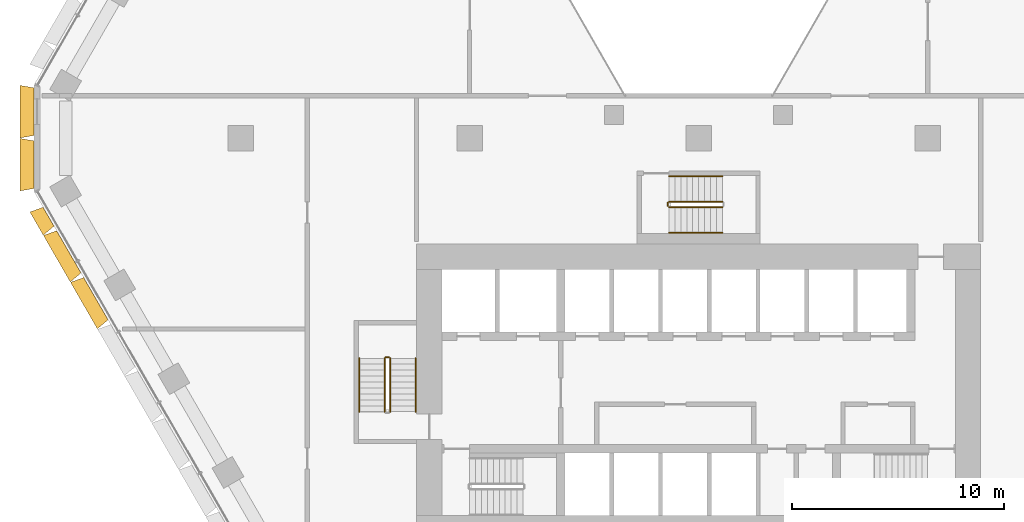
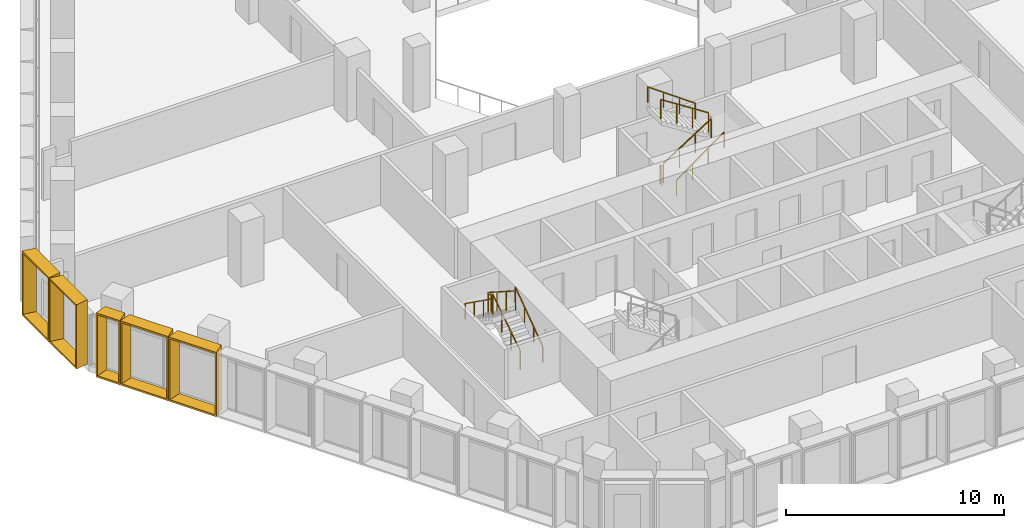
# One storey, part 19 of 21: 10 railings, 5 shading devices.
"""IFC4 building model written with IfcOpenShell, lengths in metres."""

from ifc_helpers import new_model, entity, si_unit, direction, frame, origin, origin_2d, place, context, subcontext, project, spatial, rectangle, extrude, source, transform, mapped, material, type_object, type_shapes, element, save


model = new_model("IFC4")

# Units and contexts
model_context = context("Model", 3, precision=1e-05, world=origin(), true_north=direction((0.0, 1.0)))
body_context = subcontext(model_context, "Body", "Model", "MODEL_VIEW")
ifc_project = project(units=[si_unit("LENGTHUNIT", "METRE"), si_unit("AREAUNIT", "SQUARE_METRE"), si_unit("VOLUMEUNIT", "CUBIC_METRE"), si_unit("PLANEANGLEUNIT", "RADIAN"), si_unit("MASSUNIT", "GRAM", prefix="KILO")], contexts=[model_context])

# Site, building, storey
site_placement = place(None, origin())
site = spatial("IfcSite", under=ifc_project, at=site_placement, CompositionType="ELEMENT")
building_placement = place(site_placement, origin())
building = spatial("IfcBuilding", under=site, at=building_placement, Name="Beryl Residences", CompositionType="ELEMENT")
storey_placement = place(building_placement, frame((0.0, 0.0, 19.800048828125)))
storey = spatial("IfcBuildingStorey", under=building, at=storey_placement, Name="L05", CompositionType="ELEMENT", Elevation=19.800048828125)

# Shading devices
ifc_material_1 = material(Name="Aluminium pale anodised", Category="aluminium")
shading_device_type_1 = type_object("IfcShadingDeviceType", Name="FR128-65A-H36 OUTER SKIN frame 650 mm deep, splay 10/10 deg, 1280 x 3600 mm cell", PredefinedType="USERDEFINED", material=ifc_material_1)
cartesian_point_1 = entity("IfcCartesianPoint", [-0.514892578125, 0.0])
cartesian_point_2 = entity("IfcCartesianPoint", [-0.433837890625, 0.10009765625])
cartesian_point_3 = entity("IfcCartesianPoint", [-0.629638671875, 0.0])
cartesian_point_4 = entity("IfcCartesianPoint", [-0.54833984375, 0.10009765625])
shared_shape_1 = source(origin(), body_context, "Body", "SweptSolid", [
    entity("IfcExtrudedAreaSolidTapered", entity("IfcArbitraryProfileDefWithVoids", "AREA", None, entity("IfcPolyline", [cartesian_point_1, entity("IfcCartesianPoint", [0.514892578125, 0.0]), entity("IfcCartesianPoint", [0.514892578125, 3.60009765625]), entity("IfcCartesianPoint", [-0.514892578125, 3.60009765625]), cartesian_point_1]), [entity("IfcPolyline", [cartesian_point_2, entity("IfcCartesianPoint", [0.433837890625, 0.10009765625]), entity("IfcCartesianPoint", [0.433837890625, 3.5]), entity("IfcCartesianPoint", [-0.433837890625, 3.5]), cartesian_point_2])]), entity("IfcAxis2Placement3D", entity("IfcCartesianPoint", [0.0, 0.0, 0.0]), entity("IfcDirection", [0.0, 1.0, 0.0]), entity("IfcDirection", [-1.0, 0.0, 0.0])), entity("IfcDirection", [0.0, 0.0, 1.0]), 0.64990234375, entity("IfcArbitraryProfileDefWithVoids", "AREA", None, entity("IfcPolyline", [cartesian_point_3, entity("IfcCartesianPoint", [0.629638671875, 0.0]), entity("IfcCartesianPoint", [0.629638671875, 3.60009765625]), entity("IfcCartesianPoint", [-0.629638671875, 3.60009765625]), cartesian_point_3]), [entity("IfcPolyline", [cartesian_point_4, entity("IfcCartesianPoint", [0.54833984375, 0.10009765625]), entity("IfcCartesianPoint", [0.54833984375, 3.5]), entity("IfcCartesianPoint", [-0.54833984375, 3.5]), cartesian_point_4])])),
])
type_shapes(shading_device_type_1, [shared_shape_1])
shading_device_placement = place(storey_placement, frame((-30.655029296875, -3.702880859375, 0.0), z_axis=(0.0, 0.0, 1.0), x_axis=(-0.5, 0.866025403784, 0.0)))
element("IfcShadingDevice", 1, at=shading_device_placement, inside=storey, type_object=shading_device_type_1, Name="FR128-65A-H36 frame L05 SW 1", ObjectType="OUTER SKIN", PredefinedType="USERDEFINED", context=body_context, shape_type="MappedRepresentation", body=[
    mapped(shared_shape_1, transform((0.0, 0.0, 0.0))),
])
ifc_material_2 = material(Name="Aluminium pale anodised", Category="aluminium")
shading_device_type_2 = type_object("IfcShadingDeviceType", Name="FR250-65A-H36 OUTER SKIN frame 650 mm deep, splay 10/10 deg, 2500 x 3600 mm cell", PredefinedType="USERDEFINED", material=ifc_material_2)
cartesian_point_5 = entity("IfcCartesianPoint", [-1.125, 0.0])
cartesian_point_6 = entity("IfcCartesianPoint", [-1.043701171875, 0.10009765625])
cartesian_point_7 = entity("IfcCartesianPoint", [-1.239501953125, 0.0])
cartesian_point_8 = entity("IfcCartesianPoint", [-1.158447265625, 0.10009765625])
shared_shape_2 = source(origin(), body_context, "Body", "SweptSolid", [
    entity("IfcExtrudedAreaSolidTapered", entity("IfcArbitraryProfileDefWithVoids", "AREA", None, entity("IfcPolyline", [cartesian_point_5, entity("IfcCartesianPoint", [1.125, 0.0]), entity("IfcCartesianPoint", [1.125, 3.60009765625]), entity("IfcCartesianPoint", [-1.125, 3.60009765625]), cartesian_point_5]), [entity("IfcPolyline", [cartesian_point_6, entity("IfcCartesianPoint", [1.043701171875, 0.10009765625]), entity("IfcCartesianPoint", [1.043701171875, 3.5]), entity("IfcCartesianPoint", [-1.043701171875, 3.5]), cartesian_point_6])]), entity("IfcAxis2Placement3D", entity("IfcCartesianPoint", [0.0, 0.0, 0.0]), entity("IfcDirection", [0.0, 1.0, 0.0]), entity("IfcDirection", [-1.0, 0.0, 0.0])), entity("IfcDirection", [0.0, 0.0, 1.0]), 0.64990234375, entity("IfcArbitraryProfileDefWithVoids", "AREA", None, entity("IfcPolyline", [cartesian_point_7, entity("IfcCartesianPoint", [1.239501953125, 0.0]), entity("IfcCartesianPoint", [1.239501953125, 3.60009765625]), entity("IfcCartesianPoint", [-1.239501953125, 3.60009765625]), cartesian_point_7]), [entity("IfcPolyline", [cartesian_point_8, entity("IfcCartesianPoint", [1.158447265625, 0.10009765625]), entity("IfcCartesianPoint", [1.158447265625, 3.5]), entity("IfcCartesianPoint", [-1.158447265625, 3.5]), cartesian_point_8])])),
])
type_shapes(shading_device_type_2, [shared_shape_2])
for number, where, z_axis, x_axis, name in (
    (2, (-31.35009765625, 1.25, 0.0), (0.0, 0.0, 1.0), (0.0, 1.0, 0.0), "FR250-65A-H36 frame L05 NW-SW 1"),
    (3, (-31.35009765625, -1.25, 0.0), (0.0, 0.0, 1.0), (0.0, 1.0, 0.0), "FR250-65A-H36 frame L05 NW-SW 2"),
):
    element("IfcShadingDevice", number, at=place(storey_placement, frame(where, z_axis=z_axis, x_axis=x_axis)), inside=storey, type_object=shading_device_type_2, Name=name, ObjectType="OUTER SKIN", PredefinedType="USERDEFINED", context=body_context, shape_type="MappedRepresentation", body=[
        mapped(shared_shape_2, transform((0.0, 0.0, 0.0))),
    ])
ifc_material_3 = material(Name="Aluminium pale anodised", Category="aluminium")
shading_device_type_3 = type_object("IfcShadingDeviceType", Name="FR255-65A-H36 OUTER SKIN frame 650 mm deep, splay 10/10 deg, 2550 x 3600 mm cell", PredefinedType="USERDEFINED", material=ifc_material_3)
cartesian_point_9 = entity("IfcCartesianPoint", [-1.14990234375, 0.0])
cartesian_point_10 = entity("IfcCartesianPoint", [-1.06884765625, 0.10009765625])
cartesian_point_11 = entity("IfcCartesianPoint", [-1.2646484375, 0.0])
cartesian_point_12 = entity("IfcCartesianPoint", [-1.183349609375, 0.10009765625])
shared_shape_3 = source(origin(), body_context, "Body", "SweptSolid", [
    entity("IfcExtrudedAreaSolidTapered", entity("IfcArbitraryProfileDefWithVoids", "AREA", None, entity("IfcPolyline", [cartesian_point_9, entity("IfcCartesianPoint", [1.14990234375, 0.0]), entity("IfcCartesianPoint", [1.14990234375, 3.60009765625]), entity("IfcCartesianPoint", [-1.14990234375, 3.60009765625]), cartesian_point_9]), [entity("IfcPolyline", [cartesian_point_10, entity("IfcCartesianPoint", [1.06884765625, 0.10009765625]), entity("IfcCartesianPoint", [1.06884765625, 3.5]), entity("IfcCartesianPoint", [-1.06884765625, 3.5]), cartesian_point_10])]), entity("IfcAxis2Placement3D", entity("IfcCartesianPoint", [0.0, 0.0, 0.0]), entity("IfcDirection", [0.0, 1.0, 0.0]), entity("IfcDirection", [-1.0, 0.0, 0.0])), entity("IfcDirection", [0.0, 0.0, 1.0]), 0.64990234375, entity("IfcArbitraryProfileDefWithVoids", "AREA", None, entity("IfcPolyline", [cartesian_point_11, entity("IfcCartesianPoint", [1.2646484375, 0.0]), entity("IfcCartesianPoint", [1.2646484375, 3.60009765625]), entity("IfcCartesianPoint", [-1.2646484375, 3.60009765625]), cartesian_point_11]), [entity("IfcPolyline", [cartesian_point_12, entity("IfcCartesianPoint", [1.183349609375, 0.10009765625]), entity("IfcCartesianPoint", [1.183349609375, 3.5]), entity("IfcCartesianPoint", [-1.183349609375, 3.5]), cartesian_point_12])])),
])
type_shapes(shading_device_type_3, [shared_shape_3])
for number, where, z_axis, x_axis, name in (
    (4, (-29.697998046875, -5.360107421875, 0.0), (0.0, 0.0, 1.0), (-0.5, 0.866025403784, 0.0), "FR255-65A-H36 frame L05 SW 2"),
    (5, (-28.422119140625, -7.570068359375, 0.0), (0.0, 0.0, 1.0), (-0.5, 0.866025403784, 0.0), "FR255-65A-H36 frame L05 SW 3"),
):
    element("IfcShadingDevice", number, at=place(storey_placement, frame(where, z_axis=z_axis, x_axis=x_axis)), inside=storey, type_object=shading_device_type_3, Name=name, ObjectType="OUTER SKIN", PredefinedType="USERDEFINED", context=body_context, shape_type="MappedRepresentation", body=[
        mapped(shared_shape_3, transform((0.0, 0.0, 0.0))),
    ])

# Railings
ifc_material_4 = material(Name="Stainless steel balustrade with glass infill", Category="steel")
railing_type_1 = type_object("IfcRailingType", Name="SG1 stair guard 1100 mm", PredefinedType="GUARDRAIL", material=ifc_material_4)
railing_1_placement = place(storey_placement, frame((-14.550048828125, -12.89990234375, 0.179931640625)))
element("IfcRailing", 6, at=railing_1_placement, inside=storey, type_object=railing_type_1, Name="L05 ST-2 stair guard 1", PredefinedType="GUARDRAIL", context=body_context, shape_type="SweptSolid", body=[
    extrude(rectangle(XDim=0.048095703125, YDim=0.048095703125, at=origin_2d()), frame((0.0, 0.0, 1.076171875), z_axis=(0.0, 0.841162588446, 0.540782303519), x_axis=(-1.0, 0.0, 0.0)), (0.0, 0.0, 1.0), 2.995849609375),
    extrude(rectangle(XDim=0.0419921875, YDim=0.0419921875, at=origin_2d()), origin(), (0.0, 0.0, 1.0), 1.052001953125),
    extrude(rectangle(XDim=0.0419921875, YDim=0.0419921875, at=origin_2d()), frame((0.0, 0.840087890625, 0.5400390625)), (0.0, 0.0, 1.0), 1.052001953125),
    extrude(rectangle(XDim=0.0419921875, YDim=0.0419921875, at=origin_2d()), frame((0.0, 1.679931640625, 1.080078125)), (0.0, 0.0, 1.0), 1.052001953125),
    extrude(rectangle(XDim=0.0419921875, YDim=0.0419921875, at=origin_2d()), frame((0.0, 2.52001953125, 1.6201171875)), (0.0, 0.0, 1.0), 1.052001953125),
])
railing_2_placement = place(storey_placement, frame((-14.60009765625, -10.330078125, 1.800048828125)))
element("IfcRailing", 7, at=railing_2_placement, inside=storey, type_object=railing_type_1, Name="L05 ST-2 stair guard 2", PredefinedType="GUARDRAIL", context=body_context, shape_type="SweptSolid", body=[
    extrude(rectangle(XDim=0.048095703125, YDim=0.048095703125, at=origin_2d()), frame((0.0, 0.0, 1.076171875), z_axis=(-1.0, 0.0, 0.0), x_axis=(0.0, -1.0, 0.0)), (0.0, 0.0, 1.0), 0.14990234375),
    extrude(rectangle(XDim=0.0419921875, YDim=0.0419921875, at=origin_2d()), origin(), (0.0, 0.0, 1.0), 1.052001953125),
    extrude(rectangle(XDim=0.0419921875, YDim=0.0419921875, at=origin_2d()), frame((-0.14990234375, 0.0, 0.0)), (0.0, 0.0, 1.0), 1.052001953125),
])
railing_3_placement = place(storey_placement, frame((-14.800048828125, -10.3798828125, 1.97998046875)))
element("IfcRailing", 8, at=railing_3_placement, inside=storey, type_object=railing_type_1, Name="L05 ST-2 stair guard 3", PredefinedType="GUARDRAIL", context=body_context, shape_type="SweptSolid", body=[
    extrude(rectangle(XDim=0.048095703125, YDim=0.048095703125, at=origin_2d()), frame((0.0, 0.0, 1.076171875), z_axis=(0.0, -0.841199657755, 0.540724639528), x_axis=(1.0, 0.0, 0.0)), (0.0, 0.0, 1.0), 2.995849609375),
    extrude(rectangle(XDim=0.0419921875, YDim=0.0419921875, at=origin_2d()), origin(), (0.0, 0.0, 1.0), 1.052001953125),
    extrude(rectangle(XDim=0.0419921875, YDim=0.0419921875, at=origin_2d()), frame((0.0, -0.840087890625, 0.5400390625)), (0.0, 0.0, 1.0), 1.052001953125),
    extrude(rectangle(XDim=0.0419921875, YDim=0.0419921875, at=origin_2d()), frame((0.0, -1.679931640625, 1.079833984375)), (0.0, 0.0, 1.0), 1.052001953125),
    extrude(rectangle(XDim=0.0419921875, YDim=0.0419921875, at=origin_2d()), frame((0.0, -2.52001953125, 1.619873046875)), (0.0, 0.0, 1.0), 1.052001953125),
])
railing_4_placement = place(storey_placement, frame((-1.39990234375, -3.25, 0.179931640625)))
element("IfcRailing", 9, at=railing_4_placement, inside=storey, type_object=railing_type_1, Name="L05 ST-4 stair guard 1", PredefinedType="GUARDRAIL", context=body_context, shape_type="SweptSolid", body=[
    extrude(rectangle(XDim=0.048095703125, YDim=0.048095703125, at=origin_2d()), frame((0.0, 0.0, 1.076171875), z_axis=(0.841162588446, 0.0, 0.540782303519), x_axis=(0.0, 1.0, 0.0)), (0.0, 0.0, 1.0), 2.995849609375),
    extrude(rectangle(XDim=0.0419921875, YDim=0.0419921875, at=origin_2d()), origin(), (0.0, 0.0, 1.0), 1.052001953125),
    extrude(rectangle(XDim=0.0419921875, YDim=0.0419921875, at=origin_2d()), frame((0.840087890625, 0.0, 0.5400390625)), (0.0, 0.0, 1.0), 1.052001953125),
    extrude(rectangle(XDim=0.0419921875, YDim=0.0419921875, at=origin_2d()), frame((1.679931640625, 0.0, 1.080078125)), (0.0, 0.0, 1.0), 1.052001953125),
    extrude(rectangle(XDim=0.0419921875, YDim=0.0419921875, at=origin_2d()), frame((2.52001953125, 0.0, 1.6201171875)), (0.0, 0.0, 1.0), 1.052001953125),
])
railing_5_placement = place(storey_placement, frame((1.1201171875, -3.0, 1.97998046875)))
element("IfcRailing", 10, at=railing_5_placement, inside=storey, type_object=railing_type_1, Name="L05 ST-4 stair guard 3", PredefinedType="GUARDRAIL", context=body_context, shape_type="SweptSolid", body=[
    extrude(rectangle(XDim=0.048095703125, YDim=0.048095703125, at=origin_2d()), frame((0.0, 0.0, 1.076171875), z_axis=(-0.841199657755, 0.0, 0.540724639528), x_axis=(0.0, -1.0, 0.0)), (0.0, 0.0, 1.0), 2.995849609375),
    extrude(rectangle(XDim=0.0419921875, YDim=0.0419921875, at=origin_2d()), origin(), (0.0, 0.0, 1.0), 1.052001953125),
    extrude(rectangle(XDim=0.0419921875, YDim=0.0419921875, at=origin_2d()), frame((-0.840087890625, 0.0, 0.5400390625)), (0.0, 0.0, 1.0), 1.052001953125),
    extrude(rectangle(XDim=0.0419921875, YDim=0.0419921875, at=origin_2d()), frame((-1.679931640625, 0.0, 1.079833984375)), (0.0, 0.0, 1.0), 1.052001953125),
    extrude(rectangle(XDim=0.0419921875, YDim=0.0419921875, at=origin_2d()), frame((-2.52001953125, 0.0, 1.619873046875)), (0.0, 0.0, 1.0), 1.052001953125),
])
railing_6_placement = place(storey_placement, frame((-1.449951171875, -3.199951171875, 0.0)))
element("IfcRailing", 11, at=railing_6_placement, inside=storey, type_object=railing_type_1, Name="L05 ST-4 stair guard 4", PredefinedType="GUARDRAIL", context=body_context, shape_type="SweptSolid", body=[
    extrude(rectangle(XDim=0.048095703125, YDim=0.048095703125, at=origin_2d()), frame((0.0, 0.0, 1.076171875), z_axis=(0.0, 1.0, 0.0), x_axis=(-1.0, 0.0, 0.0)), (0.0, 0.0, 1.0), 0.14990234375),
    extrude(rectangle(XDim=0.0419921875, YDim=0.0419921875, at=origin_2d()), origin(), (0.0, 0.0, 1.0), 1.052001953125),
    extrude(rectangle(XDim=0.0419921875, YDim=0.0419921875, at=origin_2d()), frame((0.0, 0.14990234375, 0.0)), (0.0, 0.0, 1.0), 1.052001953125),
])
ifc_material_5 = material(Name="Stainless steel handrail", Category="steel")
railing_type_2 = type_object("IfcRailingType", Name="SRL1 stair handrail 900 mm", PredefinedType="HANDRAIL", material=ifc_material_5)
railing_7_placement = place(storey_placement, frame((-13.35009765625, -12.89990234375, 0.179931640625)))
element("IfcRailing", 12, at=railing_7_placement, inside=storey, type_object=railing_type_2, Name="L05 ST-2 stair handrail 1", PredefinedType="HANDRAIL", context=body_context, shape_type="SweptSolid", body=[
    extrude(rectangle(XDim=0.048095703125, YDim=0.048095703125, at=origin_2d()), frame((0.0, 0.0, 0.8759765625), z_axis=(0.0, 0.813728144527, 0.581245650998), x_axis=(-1.0, 0.0, 0.0)), (0.0, 0.0, 1.0), 3.096923828125),
    extrude(rectangle(XDim=0.0419921875, YDim=0.0419921875, at=origin_2d()), origin(), (0.0, 0.0, 1.0), 0.851806640625),
    extrude(rectangle(XDim=0.0419921875, YDim=0.0419921875, at=origin_2d()), frame((0.0, 0.840087890625, 0.60009765625)), (0.0, 0.0, 1.0), 0.851806640625),
    extrude(rectangle(XDim=0.0419921875, YDim=0.0419921875, at=origin_2d()), frame((0.0, 1.679931640625, 1.199951171875)), (0.0, 0.0, 1.0), 0.851806640625),
    extrude(rectangle(XDim=0.0419921875, YDim=0.0419921875, at=origin_2d()), frame((0.0, 2.52001953125, 1.800048828125)), (0.0, 0.0, 1.0), 0.851806640625),
])
railing_8_placement = place(storey_placement, frame((-16.0, -10.3798828125, 1.97998046875)))
element("IfcRailing", 13, at=railing_8_placement, inside=storey, type_object=railing_type_2, Name="L05 ST-2 stair handrail 2", PredefinedType="HANDRAIL", context=body_context, shape_type="SweptSolid", body=[
    extrude(rectangle(XDim=0.048095703125, YDim=0.048095703125, at=origin_2d()), frame((0.0, 0.0, 0.8759765625), z_axis=(0.0, -0.813728144527, 0.581245650998), x_axis=(1.0, 0.0, 0.0)), (0.0, 0.0, 1.0), 3.096923828125),
    extrude(rectangle(XDim=0.0419921875, YDim=0.0419921875, at=origin_2d()), origin(), (0.0, 0.0, 1.0), 0.851806640625),
    extrude(rectangle(XDim=0.0419921875, YDim=0.0419921875, at=origin_2d()), frame((0.0, -0.840087890625, 0.60009765625)), (0.0, 0.0, 1.0), 0.851806640625),
    extrude(rectangle(XDim=0.0419921875, YDim=0.0419921875, at=origin_2d()), frame((0.0, -1.679931640625, 1.199951171875)), (0.0, 0.0, 1.0), 0.851806640625),
    extrude(rectangle(XDim=0.0419921875, YDim=0.0419921875, at=origin_2d()), frame((0.0, -2.52001953125, 1.800048828125)), (0.0, 0.0, 1.0), 0.851806640625),
])
railing_9_placement = place(storey_placement, frame((-1.39990234375, -4.449951171875, 0.179931640625)))
element("IfcRailing", 14, at=railing_9_placement, inside=storey, type_object=railing_type_2, Name="L05 ST-4 stair handrail 1", PredefinedType="HANDRAIL", context=body_context, shape_type="SweptSolid", body=[
    extrude(rectangle(XDim=0.048095703125, YDim=0.048095703125, at=origin_2d()), frame((0.0, 0.0, 0.8759765625), z_axis=(0.813728144527, 0.0, 0.581245650998), x_axis=(0.0, 1.0, 0.0)), (0.0, 0.0, 1.0), 3.096923828125),
    extrude(rectangle(XDim=0.0419921875, YDim=0.0419921875, at=origin_2d()), origin(), (0.0, 0.0, 1.0), 0.851806640625),
    extrude(rectangle(XDim=0.0419921875, YDim=0.0419921875, at=origin_2d()), frame((0.840087890625, 0.0, 0.60009765625)), (0.0, 0.0, 1.0), 0.851806640625),
    extrude(rectangle(XDim=0.0419921875, YDim=0.0419921875, at=origin_2d()), frame((1.679931640625, 0.0, 1.199951171875)), (0.0, 0.0, 1.0), 0.851806640625),
    extrude(rectangle(XDim=0.0419921875, YDim=0.0419921875, at=origin_2d()), frame((2.52001953125, 0.0, 1.800048828125)), (0.0, 0.0, 1.0), 0.851806640625),
])
railing_10_placement = place(storey_placement, frame((1.1201171875, -1.800048828125, 1.97998046875)))
element("IfcRailing", 15, at=railing_10_placement, inside=storey, type_object=railing_type_2, Name="L05 ST-4 stair handrail 2", PredefinedType="HANDRAIL", context=body_context, shape_type="SweptSolid", body=[
    extrude(rectangle(XDim=0.048095703125, YDim=0.048095703125, at=origin_2d()), frame((0.0, 0.0, 0.8759765625), z_axis=(-0.813728144527, 0.0, 0.581245650998), x_axis=(0.0, -1.0, 0.0)), (0.0, 0.0, 1.0), 3.096923828125),
    extrude(rectangle(XDim=0.0419921875, YDim=0.0419921875, at=origin_2d()), origin(), (0.0, 0.0, 1.0), 0.851806640625),
    extrude(rectangle(XDim=0.0419921875, YDim=0.0419921875, at=origin_2d()), frame((-0.840087890625, 0.0, 0.60009765625)), (0.0, 0.0, 1.0), 0.851806640625),
    extrude(rectangle(XDim=0.0419921875, YDim=0.0419921875, at=origin_2d()), frame((-1.679931640625, 0.0, 1.199951171875)), (0.0, 0.0, 1.0), 0.851806640625),
    extrude(rectangle(XDim=0.0419921875, YDim=0.0419921875, at=origin_2d()), frame((-2.52001953125, 0.0, 1.800048828125)), (0.0, 0.0, 1.0), 0.851806640625),
])

save(model, "model.ifc")
